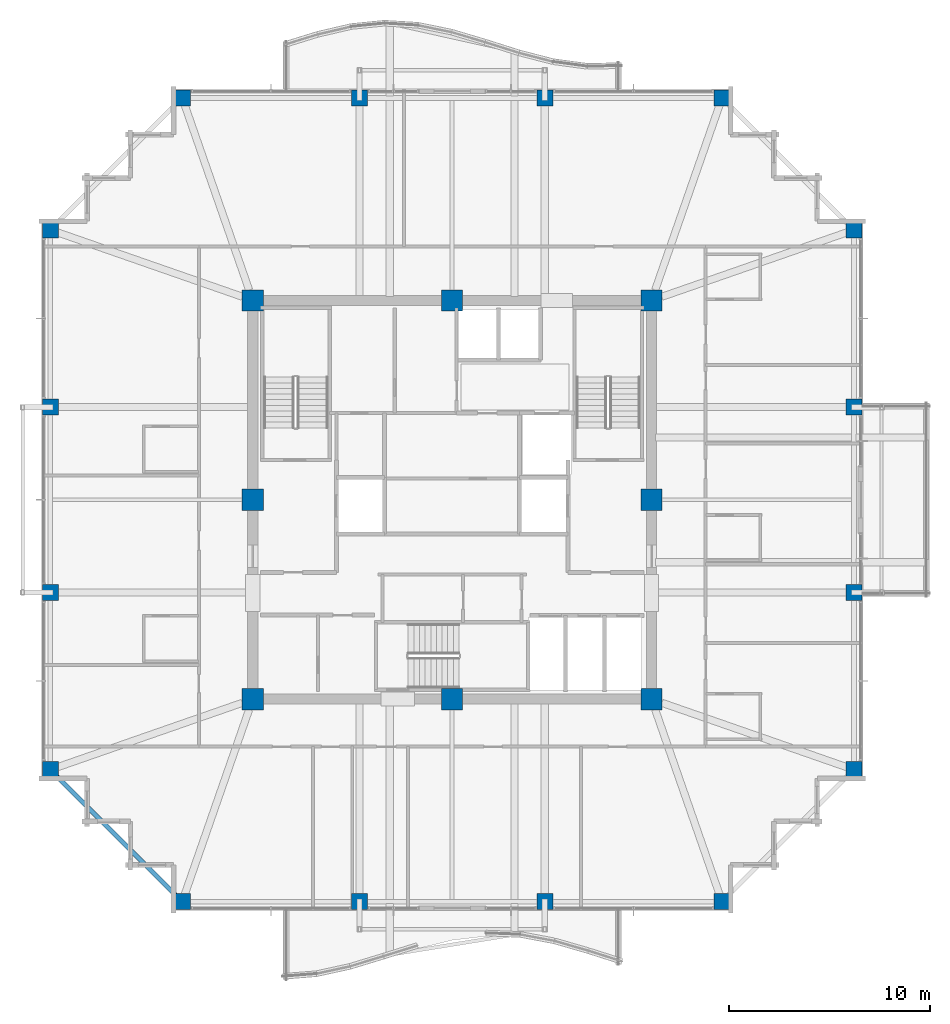
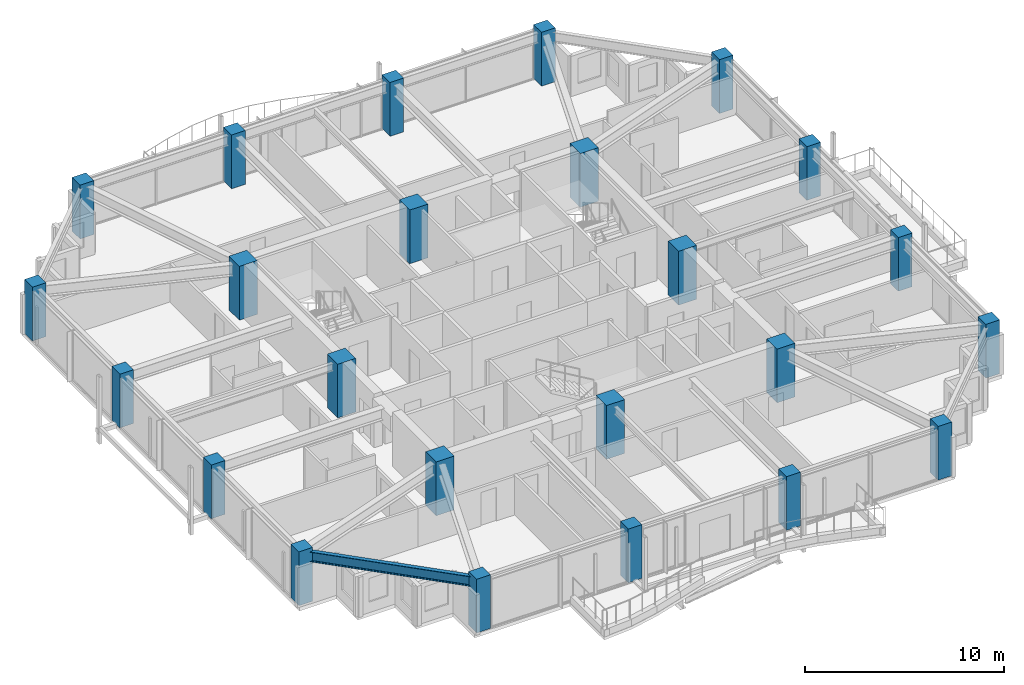
# One storey, part 1 of 38: 24 columns, 1 beam.
"""IFC4 building model written with IfcOpenShell, lengths in metres."""

from ifc_helpers import new_model, si_unit, direction, frame, origin, origin_2d, place, context, subcontext, project, spatial, rectangle, i_section, extrude, material, material_profile, profile_set, type_object, element, save


model = new_model("IFC4")

# Units and contexts
model_context = context("Model", 3, precision=1e-05, world=origin(), true_north=direction((0.0, 1.0)))
body_context = subcontext(model_context, "Body", "Model", "MODEL_VIEW")
ifc_project = project(units=[si_unit("LENGTHUNIT", "METRE"), si_unit("AREAUNIT", "SQUARE_METRE"), si_unit("VOLUMEUNIT", "CUBIC_METRE"), si_unit("PLANEANGLEUNIT", "RADIAN"), si_unit("MASSUNIT", "GRAM", prefix="KILO")], contexts=[model_context])

# Site, building, storey
site_placement = place(None, origin())
site = spatial("IfcSite", under=ifc_project, at=site_placement, CompositionType="ELEMENT")
building_placement = place(site_placement, origin())
building = spatial("IfcBuilding", under=site, at=building_placement, Name="Kolvaren Belvedere", CompositionType="ELEMENT")
storey_placement = place(building_placement, frame((0.0, 0.0, 206.39990234375)))
storey = spatial("IfcBuildingStorey", under=building, at=storey_placement, Name="L60", CompositionType="ELEMENT", Elevation=206.39990234375)

# Columns
ifc_material_1 = material(Name="Concrete C50/60", Category="concrete")
ifc_material_profile_1 = material_profile(ifc_material_1, rectangle(XDim=1.050048828125, YDim=1.050048828125, at=origin_2d()), Name="RC 1050X1050")
ifc_profile_set_1 = profile_set([ifc_material_profile_1], Name="Concrete C50/60")
column_type_1 = type_object("IfcColumnType", Name="COL-RC-1050", PredefinedType="COLUMN", material=ifc_profile_set_1)
for number, where, z_axis, x_axis, name in (
    (1, (-9.89990234375, -9.89990234375, 0.0), (0.0, 0.0, 1.0), (1.0, 0.0, 0.0), "L60 Core Column CC1"),
    (2, (9.89990234375, -9.89990234375, 0.0), (0.0, 0.0, 1.0), (1.0, 0.0, 0.0), "L60 Core Column CC2"),
    (3, (9.89990234375, 9.89990234375, 0.0), (0.0, 0.0, 1.0), (1.0, 0.0, 0.0), "L60 Core Column CC3"),
    (4, (-9.89990234375, 9.89990234375, 0.0), (0.0, 0.0, 1.0), (1.0, 0.0, 0.0), "L60 Core Column CC4"),
    (5, (0.0, -9.89990234375, 0.0), (0.0, 0.0, 1.0), (1.0, 0.0, 0.0), "L60 Core Column CM1"),
    (6, (9.89990234375, 0.0, 0.0), (0.0, 0.0, 1.0), (1.0, 0.0, 0.0), "L60 Core Column CM2"),
    (7, (0.0, 9.89990234375, 0.0), (0.0, 0.0, 1.0), (1.0, 0.0, 0.0), "L60 Core Column CM3"),
    (8, (-9.89990234375, 0.0, 0.0), (0.0, 0.0, 1.0), (1.0, 0.0, 0.0), "L60 Core Column CM4"),
):
    element("IfcColumn", number, at=place(storey_placement, frame(where, z_axis=z_axis, x_axis=x_axis)), inside=storey, type_object=column_type_1, Name=name, PredefinedType="COLUMN", context=body_context, shape_type="SweptSolid", body=[
        extrude(rectangle(XDim=1.050048828125, YDim=1.050048828125, at=origin_2d()), origin(), (0.0, 0.0, 1.0), 3.300048828125),
    ])
ifc_material_2 = material(Name="Concrete C50/60", Category="concrete")
ifc_material_profile_2 = material_profile(ifc_material_2, rectangle(XDim=0.800048828125, YDim=0.800048828125, at=origin_2d()), Name="RC 800X800")
ifc_profile_set_2 = profile_set([ifc_material_profile_2], Name="Concrete C50/60")
column_type_2 = type_object("IfcColumnType", Name="COL-RC-800", PredefinedType="COLUMN", material=ifc_profile_set_2)
for number, where, z_axis, x_axis, name in (
    (9, (-13.39990234375, -19.949951171875, 0.0), (0.0, 0.0, 1.0), (1.0, 0.0, 0.0), "L60 Perimeter Column S1"),
    (10, (-4.60009765625, -19.949951171875, 0.0), (0.0, 0.0, 1.0), (1.0, 0.0, 0.0), "L60 Perimeter Column S2"),
    (11, (4.60009765625, -19.949951171875, 0.0), (0.0, 0.0, 1.0), (1.0, 0.0, 0.0), "L60 Perimeter Column S3"),
    (12, (13.39990234375, -19.949951171875, 0.0), (0.0, 0.0, 1.0), (1.0, 0.0, 0.0), "L60 Perimeter Column S4"),
    (13, (-13.39990234375, 19.949951171875, 0.0), (0.0, 0.0, 1.0), (1.0, 0.0, 0.0), "L60 Perimeter Column N1"),
    (14, (-4.60009765625, 19.949951171875, 0.0), (0.0, 0.0, 1.0), (1.0, 0.0, 0.0), "L60 Perimeter Column N2"),
    (15, (4.60009765625, 19.949951171875, 0.0), (0.0, 0.0, 1.0), (1.0, 0.0, 0.0), "L60 Perimeter Column N3"),
    (16, (13.39990234375, 19.949951171875, 0.0), (0.0, 0.0, 1.0), (1.0, 0.0, 0.0), "L60 Perimeter Column N4"),
    (17, (-19.949951171875, -13.39990234375, 0.0), (0.0, 0.0, 1.0), (1.0, 0.0, 0.0), "L60 Perimeter Column W1"),
    (18, (-19.949951171875, -4.60009765625, 0.0), (0.0, 0.0, 1.0), (1.0, 0.0, 0.0), "L60 Perimeter Column W2"),
    (19, (-19.949951171875, 4.60009765625, 0.0), (0.0, 0.0, 1.0), (1.0, 0.0, 0.0), "L60 Perimeter Column W3"),
    (20, (-19.949951171875, 13.39990234375, 0.0), (0.0, 0.0, 1.0), (1.0, 0.0, 0.0), "L60 Perimeter Column W4"),
    (21, (19.949951171875, -13.39990234375, 0.0), (0.0, 0.0, 1.0), (1.0, 0.0, 0.0), "L60 Perimeter Column E1"),
    (22, (19.949951171875, -4.60009765625, 0.0), (0.0, 0.0, 1.0), (1.0, 0.0, 0.0), "L60 Perimeter Column E2"),
    (23, (19.949951171875, 4.60009765625, 0.0), (0.0, 0.0, 1.0), (1.0, 0.0, 0.0), "L60 Perimeter Column E3"),
    (24, (19.949951171875, 13.39990234375, 0.0), (0.0, 0.0, 1.0), (1.0, 0.0, 0.0), "L60 Perimeter Column E4"),
):
    element("IfcColumn", number, at=place(storey_placement, frame(where, z_axis=z_axis, x_axis=x_axis)), inside=storey, type_object=column_type_2, Name=name, PredefinedType="COLUMN", context=body_context, shape_type="SweptSolid", body=[
        extrude(rectangle(XDim=0.800048828125, YDim=0.800048828125, at=origin_2d()), origin(), (0.0, 0.0, 1.0), 3.300048828125),
    ])

# Beam
ifc_material_3 = material(Name="Structural steel ASTM A992 Grade 50", Category="steel")
ifc_material_profile_3 = material_profile(ifc_material_3, i_section(OverallWidth=0.22900390625, OverallDepth=0.612060546875, WebThickness=0.011962890625, FlangeThickness=0.01953125, FilletRadius=0.01806640625, at=origin_2d()), Name="W24X84")
ifc_profile_set_3 = profile_set([ifc_material_profile_3], Name="Structural steel ASTM A992 Grade 50")
beam_type = type_object("IfcBeamType", Name="BM-SPAN-W24X84", PredefinedType="SPANDREL", material=ifc_profile_set_3)
beam_placement = place(storey_placement, frame((-19.82275390625, -13.52734375, 2.774169921875), z_axis=(0.707106781187, -0.707106781187, 0.0), x_axis=(0.707106781187, 0.707106781187, 0.0)))
element("IfcBeam", 25, at=beam_placement, inside=storey, type_object=beam_type, Name="L60 Perimeter Spandrel W1-S1", PredefinedType="SPANDREL", context=body_context, shape_type="SweptSolid", body=[
    extrude(i_section(OverallWidth=0.22900390625, OverallDepth=0.612060546875, WebThickness=0.011962890625, FlangeThickness=0.01953125, FilletRadius=0.01806640625, at=origin_2d()), origin(), (0.0, 0.0, 1.0), 8.903076171875),
])

save(model, "model.ifc")
